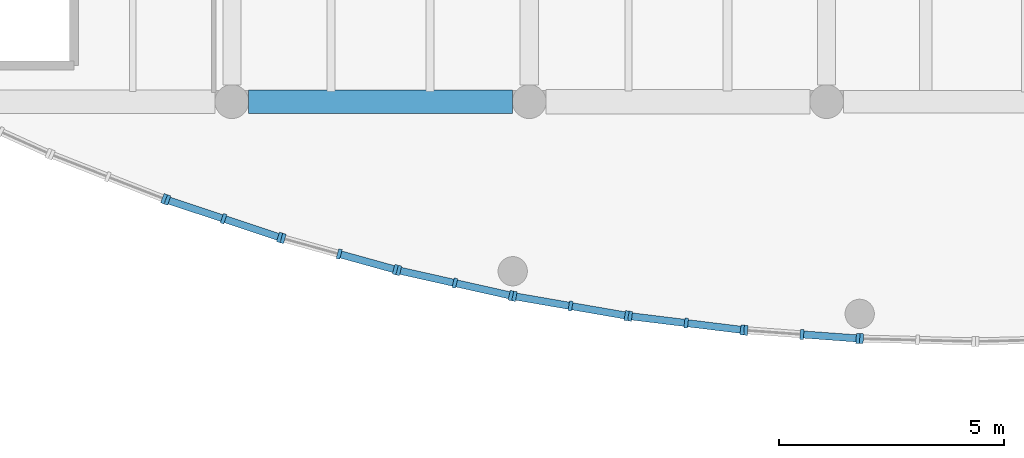
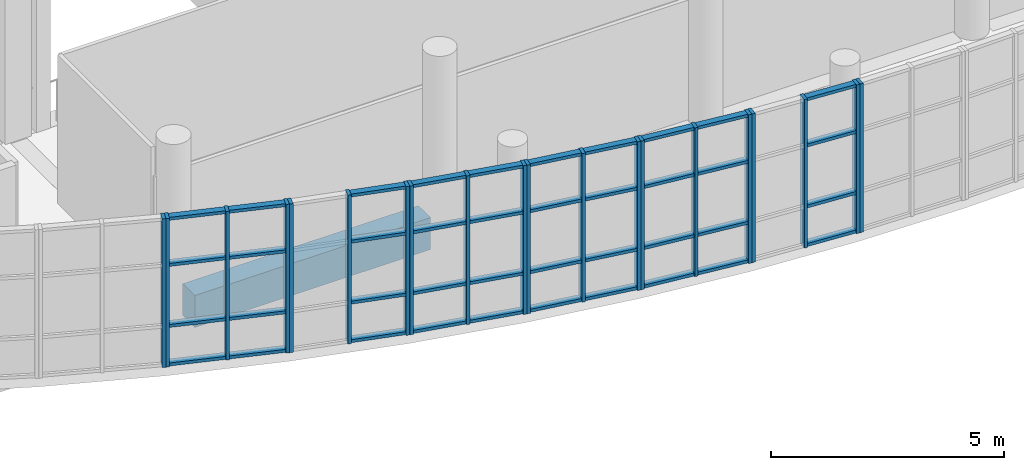
# One storey, part 11 of 68: 60 members, 1 beam, 8 elements without a shape of their own.
"""IFC4 building model written with IfcOpenShell, lengths in metres."""

from ifc_helpers import new_model, si_unit, direction, frame, origin, origin_2d, place, context, subcontext, project, spatial, rectangle, extrude, material, material_profile, profile_set, type_object, element, aggregate, save


model = new_model("IFC4")

# Units and contexts
model_context = context("Model", 3, precision=1e-05, world=origin(), true_north=direction((0.0, 1.0)))
body_context = subcontext(model_context, "Body", "Model", "MODEL_VIEW")
ifc_project = project(units=[si_unit("LENGTHUNIT", "METRE"), si_unit("AREAUNIT", "SQUARE_METRE"), si_unit("VOLUMEUNIT", "CUBIC_METRE"), si_unit("PLANEANGLEUNIT", "RADIAN"), si_unit("MASSUNIT", "GRAM", prefix="KILO")], contexts=[model_context])

# Site, building, storey
site_placement = place(None, origin())
site = spatial("IfcSite", under=ifc_project, at=site_placement, CompositionType="ELEMENT")
building_placement = place(site_placement, origin())
building = spatial("IfcBuilding", under=site, at=building_placement, Name="Ciguamira Faculty of Natural Sciences", CompositionType="ELEMENT")
storey_placement = place(building_placement, frame((0.0, 0.0, 4.199951171875)))
storey = spatial("IfcBuildingStorey", under=building, at=storey_placement, Name="L01", CompositionType="ELEMENT", Elevation=4.199951171875)

# Curtain wall, member
ifc_material_1 = material(Name="Anodized aluminium curtain wall", Category="aluminium")
curtain_wall_type_1 = type_object("IfcCurtainWallType", Name="CurtainWall_CW-01", PredefinedType="USERDEFINED", material=ifc_material_1)
curtain_wall_1_placement = place(storey_placement, origin())
curtain_wall_1 = element("IfcCurtainWall", 1, at=curtain_wall_1_placement, inside=storey, type_object=curtain_wall_type_1, Name="L01 south gallery curved curtain wall 02", ObjectType="UNITISED CURTAIN WALL", PredefinedType="USERDEFINED")
ifc_material_2 = material(Name="Anodized aluminium mullion", Category="aluminium")
ifc_material_profile_1 = material_profile(ifc_material_2, rectangle(XDim=0.080078125, YDim=0.219970703125, at=origin_2d()), Name="ALU-MUL-80X220")
ifc_profile_set_1 = profile_set([ifc_material_profile_1], Name="Anodized aluminium mullion")
member_type_1 = type_object("IfcMemberType", Name="CWMullion_CWM-03", PredefinedType="MULLION", material=ifc_profile_set_1)
member_1_placement = place(storey_placement, frame((68.99609375, 7.84423828125, 0.0), z_axis=(0.0, 0.0, 1.0), x_axis=(0.931122296337, -0.36470710065, 0.0)))
member_1 = element("IfcMember", 2, at=member_1_placement, type_object=member_type_1, Name="CW-01 mullion 3", PredefinedType="MULLION", context=body_context, shape_type="SweptSolid", body=[
    extrude(rectangle(XDim=0.080078125, YDim=0.219970703125, at=origin_2d()), origin(), (0.0, 0.0, 1.0), 3.900146484375),
])
aggregate(curtain_wall_1, [member_1])

# Curtain wall, members
curtain_wall_type_2 = type_object("IfcCurtainWallType", Name="CurtainWall_CW-02", PredefinedType="USERDEFINED", material=ifc_material_1)
curtain_wall_2_placement = place(storey_placement, origin())
curtain_wall_2 = element("IfcCurtainWall", 3, at=curtain_wall_2_placement, inside=storey, type_object=curtain_wall_type_2, Name="L01 south gallery curved curtain wall 03", ObjectType="UNITISED CURTAIN WALL", PredefinedType="USERDEFINED")
member_2_placement = place(storey_placement, frame((69.0712890625, 7.81689453125, 0.0), z_axis=(0.0, 0.0, 1.0), x_axis=(0.948735033862, -0.316072516242, 0.0)))
member_2 = element("IfcMember", 4, at=member_2_placement, type_object=member_type_1, Name="CW-02 mullion 1", PredefinedType="MULLION", context=body_context, shape_type="SweptSolid", body=[
    extrude(rectangle(XDim=0.080078125, YDim=0.219970703125, at=origin_2d()), origin(), (0.0, 0.0, 1.0), 3.900146484375),
])
member_3_placement = place(storey_placement, frame((70.316650390625, 7.402099609375, 0.0), z_axis=(0.0, 0.0, 1.0), x_axis=(0.948735033862, -0.316072516242, 0.0)))
member_3 = element("IfcMember", 5, at=member_3_placement, type_object=member_type_1, Name="CW-02 mullion 2", PredefinedType="MULLION", context=body_context, shape_type="SweptSolid", body=[
    extrude(rectangle(XDim=0.080078125, YDim=0.219970703125, at=origin_2d()), origin(), (0.0, 0.0, 1.0), 3.900146484375),
])
member_4_placement = place(storey_placement, frame((71.56201171875, 6.987060546875, 0.0), z_axis=(0.0, 0.0, 1.0), x_axis=(0.948735033862, -0.316072516242, 0.0)))
member_4 = element("IfcMember", 6, at=member_4_placement, type_object=member_type_1, Name="CW-02 mullion 3", PredefinedType="MULLION", context=body_context, shape_type="SweptSolid", body=[
    extrude(rectangle(XDim=0.080078125, YDim=0.219970703125, at=origin_2d()), origin(), (0.0, 0.0, 1.0), 3.900146484375),
])

curtain_wall_type_3 = type_object("IfcCurtainWallType", Name="CurtainWall_CW-03", PredefinedType="USERDEFINED", material=ifc_material_1)
curtain_wall_3_placement = place(storey_placement, origin())
curtain_wall_3 = element("IfcCurtainWall", 7, at=curtain_wall_3_placement, inside=storey, type_object=curtain_wall_type_3, Name="L01 south gallery curved curtain wall 04", ObjectType="UNITISED CURTAIN WALL", PredefinedType="USERDEFINED")
member_5_placement = place(storey_placement, frame((71.638427734375, 6.9638671875, 0.0), z_axis=(0.0, 0.0, 1.0), x_axis=(0.963573286652, -0.267444426472, 0.0)))
member_5 = element("IfcMember", 8, at=member_5_placement, type_object=member_type_1, Name="CW-03 mullion 1", PredefinedType="MULLION", context=body_context, shape_type="SweptSolid", body=[
    extrude(rectangle(XDim=0.080078125, YDim=0.219970703125, at=origin_2d()), origin(), (0.0, 0.0, 1.0), 3.900146484375),
])
member_6_placement = place(storey_placement, frame((72.88330078125, 6.618408203125, 0.0), z_axis=(0.0, 0.0, 1.0), x_axis=(0.963573286652, -0.267444426472, 0.0)))
member_6 = element("IfcMember", 9, at=member_6_placement, type_object=member_type_1, Name="CW-03 mullion 2", PredefinedType="MULLION", context=body_context, shape_type="SweptSolid", body=[
    extrude(rectangle(XDim=0.080078125, YDim=0.219970703125, at=origin_2d()), origin(), (0.0, 0.0, 1.0), 3.900146484375),
])
member_7_placement = place(storey_placement, frame((74.128173828125, 6.272705078125, 0.0), z_axis=(0.0, 0.0, 1.0), x_axis=(0.963573286652, -0.267444426472, 0.0)))
member_7 = element("IfcMember", 10, at=member_7_placement, type_object=member_type_1, Name="CW-03 mullion 3", PredefinedType="MULLION", context=body_context, shape_type="SweptSolid", body=[
    extrude(rectangle(XDim=0.080078125, YDim=0.219970703125, at=origin_2d()), origin(), (0.0, 0.0, 1.0), 3.900146484375),
])

curtain_wall_type_4 = type_object("IfcCurtainWallType", Name="CurtainWall_CW-04", PredefinedType="USERDEFINED", material=ifc_material_1)
curtain_wall_4_placement = place(storey_placement, origin())
curtain_wall_4 = element("IfcCurtainWall", 11, at=curtain_wall_4_placement, inside=storey, type_object=curtain_wall_type_4, Name="L01 south gallery curved curtain wall 05", ObjectType="UNITISED CURTAIN WALL", PredefinedType="USERDEFINED")
member_8_placement = place(storey_placement, frame((74.205810546875, 6.25341796875, 0.0), z_axis=(0.0, 0.0, 1.0), x_axis=(0.975762990759, -0.218830038763, 0.0)))
member_8 = element("IfcMember", 12, at=member_8_placement, type_object=member_type_1, Name="CW-04 mullion 1", PredefinedType="MULLION", context=body_context, shape_type="SweptSolid", body=[
    extrude(rectangle(XDim=0.080078125, YDim=0.219970703125, at=origin_2d()), origin(), (0.0, 0.0, 1.0), 3.900146484375),
])
member_9_placement = place(storey_placement, frame((75.449951171875, 5.974365234375, 0.0), z_axis=(0.0, 0.0, 1.0), x_axis=(0.975762990759, -0.218830038763, 0.0)))
member_9 = element("IfcMember", 13, at=member_9_placement, type_object=member_type_1, Name="CW-04 mullion 2", PredefinedType="MULLION", context=body_context, shape_type="SweptSolid", body=[
    extrude(rectangle(XDim=0.080078125, YDim=0.219970703125, at=origin_2d()), origin(), (0.0, 0.0, 1.0), 3.900146484375),
])
member_10_placement = place(storey_placement, frame((76.6943359375, 5.6953125, 0.0), z_axis=(0.0, 0.0, 1.0), x_axis=(0.975762990759, -0.218830038763, 0.0)))
member_10 = element("IfcMember", 14, at=member_10_placement, type_object=member_type_1, Name="CW-04 mullion 3", PredefinedType="MULLION", context=body_context, shape_type="SweptSolid", body=[
    extrude(rectangle(XDim=0.080078125, YDim=0.219970703125, at=origin_2d()), origin(), (0.0, 0.0, 1.0), 3.900146484375),
])

curtain_wall_type_5 = type_object("IfcCurtainWallType", Name="CurtainWall_CW-05", PredefinedType="USERDEFINED", material=ifc_material_1)
curtain_wall_5_placement = place(storey_placement, origin())
curtain_wall_5 = element("IfcCurtainWall", 15, at=curtain_wall_5_placement, inside=storey, type_object=curtain_wall_type_5, Name="L01 south gallery curved curtain wall 06", ObjectType="UNITISED CURTAIN WALL", PredefinedType="USERDEFINED")
member_11_placement = place(storey_placement, frame((76.772705078125, 5.6796875, 0.0), z_axis=(0.0, 0.0, 1.0), x_axis=(0.985410865099, -0.170192323402, 0.0)))
member_11 = element("IfcMember", 16, at=member_11_placement, type_object=member_type_1, Name="CW-05 mullion 1", PredefinedType="MULLION", context=body_context, shape_type="SweptSolid", body=[
    extrude(rectangle(XDim=0.080078125, YDim=0.219970703125, at=origin_2d()), origin(), (0.0, 0.0, 1.0), 3.900146484375),
])
member_12_placement = place(storey_placement, frame((78.0166015625, 5.46484375, 0.0), z_axis=(0.0, 0.0, 1.0), x_axis=(0.985410865099, -0.170192323402, 0.0)))
member_12 = element("IfcMember", 17, at=member_12_placement, type_object=member_type_1, Name="CW-05 mullion 2", PredefinedType="MULLION", context=body_context, shape_type="SweptSolid", body=[
    extrude(rectangle(XDim=0.080078125, YDim=0.219970703125, at=origin_2d()), origin(), (0.0, 0.0, 1.0), 3.900146484375),
])
member_13_placement = place(storey_placement, frame((79.260498046875, 5.25, 0.0), z_axis=(0.0, 0.0, 1.0), x_axis=(0.985410865099, -0.170192323402, 0.0)))
member_13 = element("IfcMember", 18, at=member_13_placement, type_object=member_type_1, Name="CW-05 mullion 3", PredefinedType="MULLION", context=body_context, shape_type="SweptSolid", body=[
    extrude(rectangle(XDim=0.080078125, YDim=0.219970703125, at=origin_2d()), origin(), (0.0, 0.0, 1.0), 3.900146484375),
])

curtain_wall_type_6 = type_object("IfcCurtainWallType", Name="CurtainWall_CW-06", PredefinedType="USERDEFINED", material=ifc_material_1)
curtain_wall_6_placement = place(storey_placement, origin())
curtain_wall_6 = element("IfcCurtainWall", 19, at=curtain_wall_6_placement, inside=storey, type_object=curtain_wall_type_6, Name="L01 south gallery curved curtain wall 07", ObjectType="UNITISED CURTAIN WALL", PredefinedType="USERDEFINED")
member_14_placement = place(storey_placement, frame((79.339599609375, 5.23828125, 0.0), z_axis=(0.0, 0.0, 1.0), x_axis=(0.992585912631, -0.12154507825, 0.0)))
member_14 = element("IfcMember", 20, at=member_14_placement, type_object=member_type_1, Name="CW-06 mullion 1", PredefinedType="MULLION", context=body_context, shape_type="SweptSolid", body=[
    extrude(rectangle(XDim=0.080078125, YDim=0.219970703125, at=origin_2d()), origin(), (0.0, 0.0, 1.0), 3.900146484375),
])
member_15_placement = place(storey_placement, frame((80.583251953125, 5.0859375, 0.0), z_axis=(0.0, 0.0, 1.0), x_axis=(0.992585912631, -0.12154507825, 0.0)))
member_15 = element("IfcMember", 21, at=member_15_placement, type_object=member_type_1, Name="CW-06 mullion 2", PredefinedType="MULLION", context=body_context, shape_type="SweptSolid", body=[
    extrude(rectangle(XDim=0.080078125, YDim=0.219970703125, at=origin_2d()), origin(), (0.0, 0.0, 1.0), 3.900146484375),
])
member_16_placement = place(storey_placement, frame((81.826904296875, 4.933837890625, 0.0), z_axis=(0.0, 0.0, 1.0), x_axis=(0.992585912631, -0.12154507825, 0.0)))
member_16 = element("IfcMember", 22, at=member_16_placement, type_object=member_type_1, Name="CW-06 mullion 3", PredefinedType="MULLION", context=body_context, shape_type="SweptSolid", body=[
    extrude(rectangle(XDim=0.080078125, YDim=0.219970703125, at=origin_2d()), origin(), (0.0, 0.0, 1.0), 3.900146484375),
])

curtain_wall_type_7 = type_object("IfcCurtainWallType", Name="CurtainWall_CW-07", PredefinedType="USERDEFINED", material=ifc_material_1)
curtain_wall_7_placement = place(storey_placement, origin())
curtain_wall_7 = element("IfcCurtainWall", 23, at=curtain_wall_7_placement, inside=storey, type_object=curtain_wall_type_7, Name="L01 south gallery curved curtain wall 08", ObjectType="UNITISED CURTAIN WALL", PredefinedType="USERDEFINED")
member_17_placement = place(storey_placement, frame((81.906494140625, 4.926025390625, 0.0), z_axis=(0.0, 0.0, 1.0), x_axis=(0.99733655099, -0.072936986916, 0.0)))
member_17 = element("IfcMember", 24, at=member_17_placement, type_object=member_type_1, Name="CW-07 mullion 1", PredefinedType="MULLION", context=body_context, shape_type="SweptSolid", body=[
    extrude(rectangle(XDim=0.080078125, YDim=0.219970703125, at=origin_2d()), origin(), (0.0, 0.0, 1.0), 3.900146484375),
])
member_18_placement = place(storey_placement, frame((83.14990234375, 4.8349609375, 0.0), z_axis=(0.0, 0.0, 1.0), x_axis=(0.99733655099, -0.072936986916, 0.0)))
member_18 = element("IfcMember", 25, at=member_18_placement, type_object=member_type_1, Name="CW-07 mullion 2", PredefinedType="MULLION", context=body_context, shape_type="SweptSolid", body=[
    extrude(rectangle(XDim=0.080078125, YDim=0.219970703125, at=origin_2d()), origin(), (0.0, 0.0, 1.0), 3.900146484375),
])
member_19_placement = place(storey_placement, frame((84.393310546875, 4.744140625, 0.0), z_axis=(0.0, 0.0, 1.0), x_axis=(0.99733655099, -0.072936986916, 0.0)))
member_19 = element("IfcMember", 26, at=member_19_placement, type_object=member_type_1, Name="CW-07 mullion 3", PredefinedType="MULLION", context=body_context, shape_type="SweptSolid", body=[
    extrude(rectangle(XDim=0.080078125, YDim=0.219970703125, at=origin_2d()), origin(), (0.0, 0.0, 1.0), 3.900146484375),
])

# Curtain wall, member
curtain_wall_type_8 = type_object("IfcCurtainWallType", Name="CurtainWall_CW-08", PredefinedType="USERDEFINED", material=ifc_material_1)
curtain_wall_8_placement = place(storey_placement, origin())
curtain_wall_8 = element("IfcCurtainWall", 27, at=curtain_wall_8_placement, inside=storey, type_object=curtain_wall_type_8, Name="L01 south gallery curved curtain wall 09", ObjectType="UNITISED CURTAIN WALL", PredefinedType="USERDEFINED")
member_20_placement = place(storey_placement, frame((84.473388671875, 4.740234375, 0.0), z_axis=(0.0, 0.0, 1.0), x_axis=(0.999703662415, -0.024343117197, 0.0)))
member_20 = element("IfcMember", 28, at=member_20_placement, type_object=member_type_1, Name="CW-08 mullion 1", PredefinedType="MULLION", context=body_context, shape_type="SweptSolid", body=[
    extrude(rectangle(XDim=0.080078125, YDim=0.219970703125, at=origin_2d()), origin(), (0.0, 0.0, 1.0), 3.900146484375),
])
aggregate(curtain_wall_8, [member_20])

# Member
ifc_material_3 = material(Name="Anodized aluminium transom", Category="aluminium")
ifc_material_profile_2 = material_profile(ifc_material_3, rectangle(XDim=0.080078125, YDim=0.159912109375, at=origin_2d()), Name="ALU-TRN-80X160")
ifc_profile_set_2 = profile_set([ifc_material_profile_2], Name="Anodized aluminium transom")
member_type_2 = type_object("IfcMemberType", Name="CWTransom_CWT-03", PredefinedType="USERDEFINED", material=ifc_profile_set_2)
member_21_placement = place(storey_placement, frame((69.109130859375, 7.80419921875, 0.0400390625), z_axis=(0.948802054129, -0.315871274543, 0.0), x_axis=(0.0, 0.0, 1.0)))
member_21 = element("IfcMember", 29, at=member_21_placement, type_object=member_type_2, Name="CW-02 transom 1.1", ObjectType="TRANSOM", PredefinedType="USERDEFINED", context=body_context, shape_type="SweptSolid", body=[
    extrude(rectangle(XDim=0.080078125, YDim=0.159912109375, at=origin_2d()), origin(), (0.0, 0.0, 1.0), 1.23291015625),
])

member_22_placement = place(storey_placement, frame((69.109130859375, 7.80419921875, 1.050048828125), z_axis=(0.948802054129, -0.315871274543, 0.0), x_axis=(0.0, 0.0, 1.0)))
member_22 = element("IfcMember", 30, at=member_22_placement, type_object=member_type_2, Name="CW-02 transom 1.2", ObjectType="TRANSOM", PredefinedType="USERDEFINED", context=body_context, shape_type="SweptSolid", body=[
    extrude(rectangle(XDim=0.080078125, YDim=0.159912109375, at=origin_2d()), origin(), (0.0, 0.0, 1.0), 1.23291015625),
])

member_23_placement = place(storey_placement, frame((69.109130859375, 7.80419921875, 2.650146484375), z_axis=(0.948802054129, -0.315871274543, 0.0), x_axis=(0.0, 0.0, 1.0)))
member_23 = element("IfcMember", 31, at=member_23_placement, type_object=member_type_2, Name="CW-02 transom 1.3", ObjectType="TRANSOM", PredefinedType="USERDEFINED", context=body_context, shape_type="SweptSolid", body=[
    extrude(rectangle(XDim=0.080078125, YDim=0.159912109375, at=origin_2d()), origin(), (0.0, 0.0, 1.0), 1.23291015625),
])

member_24_placement = place(storey_placement, frame((69.109130859375, 7.80419921875, 3.860107421875), z_axis=(0.948802054129, -0.315871274543, 0.0), x_axis=(0.0, 0.0, 1.0)))
member_24 = element("IfcMember", 32, at=member_24_placement, type_object=member_type_2, Name="CW-02 transom 1.4", ObjectType="TRANSOM", PredefinedType="USERDEFINED", context=body_context, shape_type="SweptSolid", body=[
    extrude(rectangle(XDim=0.080078125, YDim=0.159912109375, at=origin_2d()), origin(), (0.0, 0.0, 1.0), 1.23291015625),
])

member_25_placement = place(storey_placement, frame((70.3544921875, 7.389404296875, 0.0400390625), z_axis=(0.948742689117, -0.316049537013, 0.0), x_axis=(0.0, 0.0, 1.0)))
member_25 = element("IfcMember", 33, at=member_25_placement, type_object=member_type_2, Name="CW-02 transom 2.1", ObjectType="TRANSOM", PredefinedType="USERDEFINED", context=body_context, shape_type="SweptSolid", body=[
    extrude(rectangle(XDim=0.080078125, YDim=0.159912109375, at=origin_2d()), origin(), (0.0, 0.0, 1.0), 1.23291015625),
])

member_26_placement = place(storey_placement, frame((70.3544921875, 7.389404296875, 1.050048828125), z_axis=(0.948742689117, -0.316049537013, 0.0), x_axis=(0.0, 0.0, 1.0)))
member_26 = element("IfcMember", 34, at=member_26_placement, type_object=member_type_2, Name="CW-02 transom 2.2", ObjectType="TRANSOM", PredefinedType="USERDEFINED", context=body_context, shape_type="SweptSolid", body=[
    extrude(rectangle(XDim=0.080078125, YDim=0.159912109375, at=origin_2d()), origin(), (0.0, 0.0, 1.0), 1.23291015625),
])

member_27_placement = place(storey_placement, frame((70.3544921875, 7.389404296875, 2.650146484375), z_axis=(0.948742689117, -0.316049537013, 0.0), x_axis=(0.0, 0.0, 1.0)))
member_27 = element("IfcMember", 35, at=member_27_placement, type_object=member_type_2, Name="CW-02 transom 2.3", ObjectType="TRANSOM", PredefinedType="USERDEFINED", context=body_context, shape_type="SweptSolid", body=[
    extrude(rectangle(XDim=0.080078125, YDim=0.159912109375, at=origin_2d()), origin(), (0.0, 0.0, 1.0), 1.23291015625),
])

member_28_placement = place(storey_placement, frame((70.3544921875, 7.389404296875, 3.860107421875), z_axis=(0.948742689117, -0.316049537013, 0.0), x_axis=(0.0, 0.0, 1.0)))
member_28 = element("IfcMember", 36, at=member_28_placement, type_object=member_type_2, Name="CW-02 transom 2.4", ObjectType="TRANSOM", PredefinedType="USERDEFINED", context=body_context, shape_type="SweptSolid", body=[
    extrude(rectangle(XDim=0.080078125, YDim=0.159912109375, at=origin_2d()), origin(), (0.0, 0.0, 1.0), 1.23291015625),
])

aggregate(curtain_wall_2, [member_2, member_3, member_4, member_21, member_22, member_23, member_24, member_25, member_26, member_27, member_28])

member_29_placement = place(storey_placement, frame((72.921875, 6.607666015625, 0.0400390625), z_axis=(0.963549650457, -0.267529570522, 0.0), x_axis=(0.0, 0.0, 1.0)))
member_29 = element("IfcMember", 37, at=member_29_placement, type_object=member_type_2, Name="CW-03 transom 2.1", ObjectType="TRANSOM", PredefinedType="USERDEFINED", context=body_context, shape_type="SweptSolid", body=[
    extrude(rectangle(XDim=0.080078125, YDim=0.159912109375, at=origin_2d()), origin(), (0.0, 0.0, 1.0), 1.2119140625),
])

member_30_placement = place(storey_placement, frame((72.921875, 6.607666015625, 1.050048828125), z_axis=(0.963549650457, -0.267529570522, 0.0), x_axis=(0.0, 0.0, 1.0)))
member_30 = element("IfcMember", 38, at=member_30_placement, type_object=member_type_2, Name="CW-03 transom 2.2", ObjectType="TRANSOM", PredefinedType="USERDEFINED", context=body_context, shape_type="SweptSolid", body=[
    extrude(rectangle(XDim=0.080078125, YDim=0.159912109375, at=origin_2d()), origin(), (0.0, 0.0, 1.0), 1.2119140625),
])

member_31_placement = place(storey_placement, frame((72.921875, 6.607666015625, 2.650146484375), z_axis=(0.963549650457, -0.267529570522, 0.0), x_axis=(0.0, 0.0, 1.0)))
member_31 = element("IfcMember", 39, at=member_31_placement, type_object=member_type_2, Name="CW-03 transom 2.3", ObjectType="TRANSOM", PredefinedType="USERDEFINED", context=body_context, shape_type="SweptSolid", body=[
    extrude(rectangle(XDim=0.080078125, YDim=0.159912109375, at=origin_2d()), origin(), (0.0, 0.0, 1.0), 1.2119140625),
])

member_32_placement = place(storey_placement, frame((72.921875, 6.607666015625, 3.860107421875), z_axis=(0.963549650457, -0.267529570522, 0.0), x_axis=(0.0, 0.0, 1.0)))
member_32 = element("IfcMember", 40, at=member_32_placement, type_object=member_type_2, Name="CW-03 transom 2.4", ObjectType="TRANSOM", PredefinedType="USERDEFINED", context=body_context, shape_type="SweptSolid", body=[
    extrude(rectangle(XDim=0.080078125, YDim=0.159912109375, at=origin_2d()), origin(), (0.0, 0.0, 1.0), 1.2119140625),
])

aggregate(curtain_wall_3, [member_5, member_6, member_7, member_29, member_30, member_31, member_32])

member_33_placement = place(storey_placement, frame((74.244873046875, 6.24462890625, 0.0400390625), z_axis=(0.975767018908, -0.218812076476, 0.0), x_axis=(0.0, 0.0, 1.0)))
member_33 = element("IfcMember", 41, at=member_33_placement, type_object=member_type_2, Name="CW-04 transom 1.1", ObjectType="TRANSOM", PredefinedType="USERDEFINED", context=body_context, shape_type="SweptSolid", body=[
    extrude(rectangle(XDim=0.080078125, YDim=0.159912109375, at=origin_2d()), origin(), (0.0, 0.0, 1.0), 1.195068359375),
])

member_34_placement = place(storey_placement, frame((74.244873046875, 6.24462890625, 1.050048828125), z_axis=(0.975767018908, -0.218812076476, 0.0), x_axis=(0.0, 0.0, 1.0)))
member_34 = element("IfcMember", 42, at=member_34_placement, type_object=member_type_2, Name="CW-04 transom 1.2", ObjectType="TRANSOM", PredefinedType="USERDEFINED", context=body_context, shape_type="SweptSolid", body=[
    extrude(rectangle(XDim=0.080078125, YDim=0.159912109375, at=origin_2d()), origin(), (0.0, 0.0, 1.0), 1.195068359375),
])

member_35_placement = place(storey_placement, frame((74.244873046875, 6.24462890625, 2.650146484375), z_axis=(0.975767018908, -0.218812076476, 0.0), x_axis=(0.0, 0.0, 1.0)))
member_35 = element("IfcMember", 43, at=member_35_placement, type_object=member_type_2, Name="CW-04 transom 1.3", ObjectType="TRANSOM", PredefinedType="USERDEFINED", context=body_context, shape_type="SweptSolid", body=[
    extrude(rectangle(XDim=0.080078125, YDim=0.159912109375, at=origin_2d()), origin(), (0.0, 0.0, 1.0), 1.195068359375),
])

member_36_placement = place(storey_placement, frame((74.244873046875, 6.24462890625, 3.860107421875), z_axis=(0.975767018908, -0.218812076476, 0.0), x_axis=(0.0, 0.0, 1.0)))
member_36 = element("IfcMember", 44, at=member_36_placement, type_object=member_type_2, Name="CW-04 transom 1.4", ObjectType="TRANSOM", PredefinedType="USERDEFINED", context=body_context, shape_type="SweptSolid", body=[
    extrude(rectangle(XDim=0.080078125, YDim=0.159912109375, at=origin_2d()), origin(), (0.0, 0.0, 1.0), 1.195068359375),
])

member_37_placement = place(storey_placement, frame((75.489013671875, 5.965576171875, 0.0400390625), z_axis=(0.97577679791, -0.218768463588, 0.0), x_axis=(0.0, 0.0, 1.0)))
member_37 = element("IfcMember", 45, at=member_37_placement, type_object=member_type_2, Name="CW-04 transom 2.1", ObjectType="TRANSOM", PredefinedType="USERDEFINED", context=body_context, shape_type="SweptSolid", body=[
    extrude(rectangle(XDim=0.080078125, YDim=0.159912109375, at=origin_2d()), origin(), (0.0, 0.0, 1.0), 1.1953125),
])

member_38_placement = place(storey_placement, frame((75.489013671875, 5.965576171875, 1.050048828125), z_axis=(0.97577679791, -0.218768463588, 0.0), x_axis=(0.0, 0.0, 1.0)))
member_38 = element("IfcMember", 46, at=member_38_placement, type_object=member_type_2, Name="CW-04 transom 2.2", ObjectType="TRANSOM", PredefinedType="USERDEFINED", context=body_context, shape_type="SweptSolid", body=[
    extrude(rectangle(XDim=0.080078125, YDim=0.159912109375, at=origin_2d()), origin(), (0.0, 0.0, 1.0), 1.1953125),
])

member_39_placement = place(storey_placement, frame((75.489013671875, 5.965576171875, 2.650146484375), z_axis=(0.97577679791, -0.218768463588, 0.0), x_axis=(0.0, 0.0, 1.0)))
member_39 = element("IfcMember", 47, at=member_39_placement, type_object=member_type_2, Name="CW-04 transom 2.3", ObjectType="TRANSOM", PredefinedType="USERDEFINED", context=body_context, shape_type="SweptSolid", body=[
    extrude(rectangle(XDim=0.080078125, YDim=0.159912109375, at=origin_2d()), origin(), (0.0, 0.0, 1.0), 1.1953125),
])

member_40_placement = place(storey_placement, frame((75.489013671875, 5.965576171875, 3.860107421875), z_axis=(0.97577679791, -0.218768463588, 0.0), x_axis=(0.0, 0.0, 1.0)))
member_40 = element("IfcMember", 48, at=member_40_placement, type_object=member_type_2, Name="CW-04 transom 2.4", ObjectType="TRANSOM", PredefinedType="USERDEFINED", context=body_context, shape_type="SweptSolid", body=[
    extrude(rectangle(XDim=0.080078125, YDim=0.159912109375, at=origin_2d()), origin(), (0.0, 0.0, 1.0), 1.1953125),
])

aggregate(curtain_wall_4, [member_8, member_9, member_10, member_33, member_34, member_35, member_36, member_37, member_38, member_39, member_40])

member_41_placement = place(storey_placement, frame((76.81201171875, 5.6728515625, 0.0400390625), z_axis=(0.985423139827, -0.170121237632, 0.0), x_axis=(0.0, 0.0, 1.0)))
member_41 = element("IfcMember", 49, at=member_41_placement, type_object=member_type_2, Name="CW-05 transom 1.1", ObjectType="TRANSOM", PredefinedType="USERDEFINED", context=body_context, shape_type="SweptSolid", body=[
    extrude(rectangle(XDim=0.080078125, YDim=0.159912109375, at=origin_2d()), origin(), (0.0, 0.0, 1.0), 1.1826171875),
])

member_42_placement = place(storey_placement, frame((76.81201171875, 5.6728515625, 1.050048828125), z_axis=(0.985423139827, -0.170121237632, 0.0), x_axis=(0.0, 0.0, 1.0)))
member_42 = element("IfcMember", 50, at=member_42_placement, type_object=member_type_2, Name="CW-05 transom 1.2", ObjectType="TRANSOM", PredefinedType="USERDEFINED", context=body_context, shape_type="SweptSolid", body=[
    extrude(rectangle(XDim=0.080078125, YDim=0.159912109375, at=origin_2d()), origin(), (0.0, 0.0, 1.0), 1.1826171875),
])

member_43_placement = place(storey_placement, frame((76.81201171875, 5.6728515625, 2.650146484375), z_axis=(0.985423139827, -0.170121237632, 0.0), x_axis=(0.0, 0.0, 1.0)))
member_43 = element("IfcMember", 51, at=member_43_placement, type_object=member_type_2, Name="CW-05 transom 1.3", ObjectType="TRANSOM", PredefinedType="USERDEFINED", context=body_context, shape_type="SweptSolid", body=[
    extrude(rectangle(XDim=0.080078125, YDim=0.159912109375, at=origin_2d()), origin(), (0.0, 0.0, 1.0), 1.1826171875),
])

member_44_placement = place(storey_placement, frame((76.81201171875, 5.6728515625, 3.860107421875), z_axis=(0.985423139827, -0.170121237632, 0.0), x_axis=(0.0, 0.0, 1.0)))
member_44 = element("IfcMember", 52, at=member_44_placement, type_object=member_type_2, Name="CW-05 transom 1.4", ObjectType="TRANSOM", PredefinedType="USERDEFINED", context=body_context, shape_type="SweptSolid", body=[
    extrude(rectangle(XDim=0.080078125, YDim=0.159912109375, at=origin_2d()), origin(), (0.0, 0.0, 1.0), 1.1826171875),
])

member_45_placement = place(storey_placement, frame((78.05615234375, 5.4580078125, 0.0400390625), z_axis=(0.985417162859, -0.170155855448, 0.0), x_axis=(0.0, 0.0, 1.0)))
member_45 = element("IfcMember", 53, at=member_45_placement, type_object=member_type_2, Name="CW-05 transom 2.1", ObjectType="TRANSOM", PredefinedType="USERDEFINED", context=body_context, shape_type="SweptSolid", body=[
    extrude(rectangle(XDim=0.080078125, YDim=0.159912109375, at=origin_2d()), origin(), (0.0, 0.0, 1.0), 1.182373046875),
])

member_46_placement = place(storey_placement, frame((78.05615234375, 5.4580078125, 1.050048828125), z_axis=(0.985417162859, -0.170155855448, 0.0), x_axis=(0.0, 0.0, 1.0)))
member_46 = element("IfcMember", 54, at=member_46_placement, type_object=member_type_2, Name="CW-05 transom 2.2", ObjectType="TRANSOM", PredefinedType="USERDEFINED", context=body_context, shape_type="SweptSolid", body=[
    extrude(rectangle(XDim=0.080078125, YDim=0.159912109375, at=origin_2d()), origin(), (0.0, 0.0, 1.0), 1.182373046875),
])

member_47_placement = place(storey_placement, frame((78.05615234375, 5.4580078125, 2.650146484375), z_axis=(0.985417162859, -0.170155855448, 0.0), x_axis=(0.0, 0.0, 1.0)))
member_47 = element("IfcMember", 55, at=member_47_placement, type_object=member_type_2, Name="CW-05 transom 2.3", ObjectType="TRANSOM", PredefinedType="USERDEFINED", context=body_context, shape_type="SweptSolid", body=[
    extrude(rectangle(XDim=0.080078125, YDim=0.159912109375, at=origin_2d()), origin(), (0.0, 0.0, 1.0), 1.182373046875),
])

member_48_placement = place(storey_placement, frame((78.05615234375, 5.4580078125, 3.860107421875), z_axis=(0.985417162859, -0.170155855448, 0.0), x_axis=(0.0, 0.0, 1.0)))
member_48 = element("IfcMember", 56, at=member_48_placement, type_object=member_type_2, Name="CW-05 transom 2.4", ObjectType="TRANSOM", PredefinedType="USERDEFINED", context=body_context, shape_type="SweptSolid", body=[
    extrude(rectangle(XDim=0.080078125, YDim=0.159912109375, at=origin_2d()), origin(), (0.0, 0.0, 1.0), 1.182373046875),
])

aggregate(curtain_wall_5, [member_11, member_12, member_13, member_41, member_42, member_43, member_44, member_45, member_46, member_47, member_48])

member_49_placement = place(storey_placement, frame((79.37939453125, 5.2333984375, 0.0400390625), z_axis=(0.992585363796, -0.121549560171, 0.0), x_axis=(0.0, 0.0, 1.0)))
member_49 = element("IfcMember", 57, at=member_49_placement, type_object=member_type_2, Name="CW-06 transom 1.1", ObjectType="TRANSOM", PredefinedType="USERDEFINED", context=body_context, shape_type="SweptSolid", body=[
    extrude(rectangle(XDim=0.080078125, YDim=0.159912109375, at=origin_2d()), origin(), (0.0, 0.0, 1.0), 1.173095703125),
])

member_50_placement = place(storey_placement, frame((79.37939453125, 5.2333984375, 1.050048828125), z_axis=(0.992585363796, -0.121549560171, 0.0), x_axis=(0.0, 0.0, 1.0)))
member_50 = element("IfcMember", 58, at=member_50_placement, type_object=member_type_2, Name="CW-06 transom 1.2", ObjectType="TRANSOM", PredefinedType="USERDEFINED", context=body_context, shape_type="SweptSolid", body=[
    extrude(rectangle(XDim=0.080078125, YDim=0.159912109375, at=origin_2d()), origin(), (0.0, 0.0, 1.0), 1.173095703125),
])

member_51_placement = place(storey_placement, frame((79.37939453125, 5.2333984375, 2.650146484375), z_axis=(0.992585363796, -0.121549560171, 0.0), x_axis=(0.0, 0.0, 1.0)))
member_51 = element("IfcMember", 59, at=member_51_placement, type_object=member_type_2, Name="CW-06 transom 1.3", ObjectType="TRANSOM", PredefinedType="USERDEFINED", context=body_context, shape_type="SweptSolid", body=[
    extrude(rectangle(XDim=0.080078125, YDim=0.159912109375, at=origin_2d()), origin(), (0.0, 0.0, 1.0), 1.173095703125),
])

member_52_placement = place(storey_placement, frame((79.37939453125, 5.2333984375, 3.860107421875), z_axis=(0.992585363796, -0.121549560171, 0.0), x_axis=(0.0, 0.0, 1.0)))
member_52 = element("IfcMember", 60, at=member_52_placement, type_object=member_type_2, Name="CW-06 transom 1.4", ObjectType="TRANSOM", PredefinedType="USERDEFINED", context=body_context, shape_type="SweptSolid", body=[
    extrude(rectangle(XDim=0.080078125, YDim=0.159912109375, at=origin_2d()), origin(), (0.0, 0.0, 1.0), 1.173095703125),
])

member_53_placement = place(storey_placement, frame((80.623046875, 5.081298828125, 0.0400390625), z_axis=(0.992585363796, -0.121549560171, 0.0), x_axis=(0.0, 0.0, 1.0)))
member_53 = element("IfcMember", 61, at=member_53_placement, type_object=member_type_2, Name="CW-06 transom 2.1", ObjectType="TRANSOM", PredefinedType="USERDEFINED", context=body_context, shape_type="SweptSolid", body=[
    extrude(rectangle(XDim=0.080078125, YDim=0.159912109375, at=origin_2d()), origin(), (0.0, 0.0, 1.0), 1.173095703125),
])

member_54_placement = place(storey_placement, frame((80.623046875, 5.081298828125, 1.050048828125), z_axis=(0.992585363796, -0.121549560171, 0.0), x_axis=(0.0, 0.0, 1.0)))
member_54 = element("IfcMember", 62, at=member_54_placement, type_object=member_type_2, Name="CW-06 transom 2.2", ObjectType="TRANSOM", PredefinedType="USERDEFINED", context=body_context, shape_type="SweptSolid", body=[
    extrude(rectangle(XDim=0.080078125, YDim=0.159912109375, at=origin_2d()), origin(), (0.0, 0.0, 1.0), 1.173095703125),
])

member_55_placement = place(storey_placement, frame((80.623046875, 5.081298828125, 2.650146484375), z_axis=(0.992585363796, -0.121549560171, 0.0), x_axis=(0.0, 0.0, 1.0)))
member_55 = element("IfcMember", 63, at=member_55_placement, type_object=member_type_2, Name="CW-06 transom 2.3", ObjectType="TRANSOM", PredefinedType="USERDEFINED", context=body_context, shape_type="SweptSolid", body=[
    extrude(rectangle(XDim=0.080078125, YDim=0.159912109375, at=origin_2d()), origin(), (0.0, 0.0, 1.0), 1.173095703125),
])

member_56_placement = place(storey_placement, frame((80.623046875, 5.081298828125, 3.860107421875), z_axis=(0.992585363796, -0.121549560171, 0.0), x_axis=(0.0, 0.0, 1.0)))
member_56 = element("IfcMember", 64, at=member_56_placement, type_object=member_type_2, Name="CW-06 transom 2.4", ObjectType="TRANSOM", PredefinedType="USERDEFINED", context=body_context, shape_type="SweptSolid", body=[
    extrude(rectangle(XDim=0.080078125, YDim=0.159912109375, at=origin_2d()), origin(), (0.0, 0.0, 1.0), 1.173095703125),
])

aggregate(curtain_wall_6, [member_14, member_15, member_16, member_49, member_50, member_51, member_52, member_53, member_54, member_55, member_56])

member_57_placement = place(storey_placement, frame((83.18994140625, 4.83203125, 0.0400390625), z_axis=(0.997344856117, -0.072823334018, 0.0), x_axis=(0.0, 0.0, 1.0)))
member_57 = element("IfcMember", 65, at=member_57_placement, type_object=member_type_2, Name="CW-07 transom 2.1", ObjectType="TRANSOM", PredefinedType="USERDEFINED", context=body_context, shape_type="SweptSolid", body=[
    extrude(rectangle(XDim=0.080078125, YDim=0.159912109375, at=origin_2d()), origin(), (0.0, 0.0, 1.0), 1.166748046875),
])

member_58_placement = place(storey_placement, frame((83.18994140625, 4.83203125, 1.050048828125), z_axis=(0.997344856117, -0.072823334018, 0.0), x_axis=(0.0, 0.0, 1.0)))
member_58 = element("IfcMember", 66, at=member_58_placement, type_object=member_type_2, Name="CW-07 transom 2.2", ObjectType="TRANSOM", PredefinedType="USERDEFINED", context=body_context, shape_type="SweptSolid", body=[
    extrude(rectangle(XDim=0.080078125, YDim=0.159912109375, at=origin_2d()), origin(), (0.0, 0.0, 1.0), 1.166748046875),
])

member_59_placement = place(storey_placement, frame((83.18994140625, 4.83203125, 2.650146484375), z_axis=(0.997344856117, -0.072823334018, 0.0), x_axis=(0.0, 0.0, 1.0)))
member_59 = element("IfcMember", 67, at=member_59_placement, type_object=member_type_2, Name="CW-07 transom 2.3", ObjectType="TRANSOM", PredefinedType="USERDEFINED", context=body_context, shape_type="SweptSolid", body=[
    extrude(rectangle(XDim=0.080078125, YDim=0.159912109375, at=origin_2d()), origin(), (0.0, 0.0, 1.0), 1.166748046875),
])

member_60_placement = place(storey_placement, frame((83.18994140625, 4.83203125, 3.860107421875), z_axis=(0.997344856117, -0.072823334018, 0.0), x_axis=(0.0, 0.0, 1.0)))
member_60 = element("IfcMember", 68, at=member_60_placement, type_object=member_type_2, Name="CW-07 transom 2.4", ObjectType="TRANSOM", PredefinedType="USERDEFINED", context=body_context, shape_type="SweptSolid", body=[
    extrude(rectangle(XDim=0.080078125, YDim=0.159912109375, at=origin_2d()), origin(), (0.0, 0.0, 1.0), 1.166748046875),
])

aggregate(curtain_wall_7, [member_17, member_18, member_19, member_57, member_58, member_59, member_60])

# Beam
ifc_material_4 = material(Name="Concrete C40/50", Category="concrete")
ifc_material_profile_3 = material_profile(ifc_material_4, rectangle(XDim=0.52001953125, YDim=0.840087890625, at=origin_2d()), Name="RC-TB-520X840")
ifc_profile_set_3 = profile_set([ifc_material_profile_3], Name="Concrete C40/50")
beam_type = type_object("IfcBeamType", Name="RCBeam_TB-02_RC-TB-520X840", PredefinedType="T_BEAM", material=ifc_profile_set_3)
beam_placement = place(storey_placement, frame((70.875, 10.0, -0.419921875), z_axis=(1.0, 0.0, 0.0), x_axis=(0.0, 1.0, 0.0)))
element("IfcBeam", 69, at=beam_placement, inside=storey, type_object=beam_type, Name="L01 RC girder EW-0382", PredefinedType="T_BEAM", context=body_context, shape_type="SweptSolid", body=[
    extrude(rectangle(XDim=0.52001953125, YDim=0.840087890625, at=origin_2d()), origin(), (0.0, 0.0, 1.0), 5.85009765625),
])

save(model, "model.ifc")
